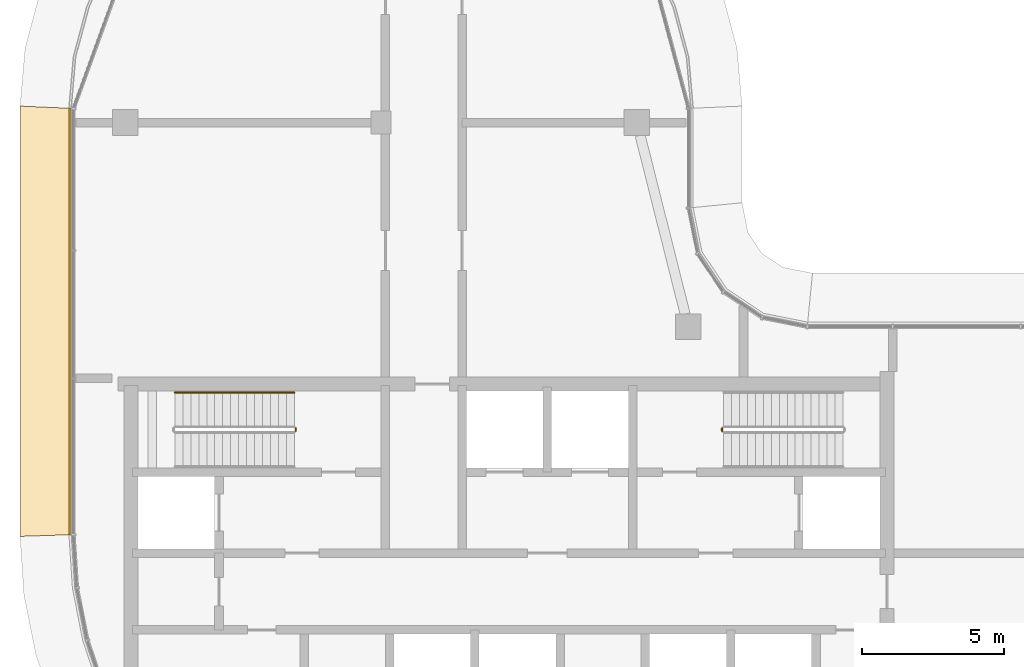
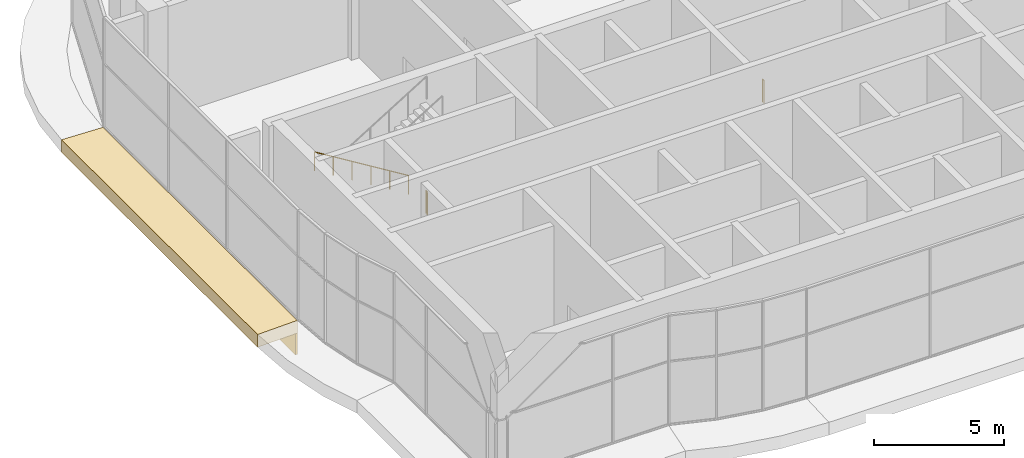
# One storey, part 19 of 23: 3 railings, 2 coverings.
"""IFC4 building model written with IfcOpenShell, lengths in metres."""

from ifc_helpers import new_model, si_unit, direction, frame, origin, origin_2d, place, context, subcontext, project, spatial, polyline, circle, outline, extrude, material, layer, layer_set, type_object, element, save


model = new_model("IFC4")

# Units and contexts
model_context = context("Model", 3, precision=1e-05, world=origin(), true_north=direction((0.0, 1.0)))
body_context = subcontext(model_context, "Body", "Model", "MODEL_VIEW")
ifc_project = project(units=[si_unit("LENGTHUNIT", "METRE"), si_unit("AREAUNIT", "SQUARE_METRE"), si_unit("VOLUMEUNIT", "CUBIC_METRE"), si_unit("PLANEANGLEUNIT", "RADIAN"), si_unit("MASSUNIT", "GRAM", prefix="KILO")], contexts=[model_context])

# Site, building, storey
site_placement = place(None, origin())
site = spatial("IfcSite", under=ifc_project, at=site_placement, CompositionType="ELEMENT")
building_placement = place(site_placement, origin())
building = spatial("IfcBuilding", under=site, at=building_placement, Name="Ogive Portal Towers", CompositionType="ELEMENT")
storey_placement = place(building_placement, frame((0.0, 0.0, 249.39990234375)))
storey = spatial("IfcBuildingStorey", under=building, at=storey_placement, Name="L62", CompositionType="ELEMENT", Elevation=249.39990234375)

# Railings
ifc_material_1 = material(Name="Stainless steel balustrade", Category="steel")
railing_type_1 = type_object("IfcRailingType", Name="INT-GUARD", PredefinedType="GUARDRAIL", material=ifc_material_1)
railing_1_placement = place(storey_placement, frame((37.5, 37.75, 0.0)))
element("IfcRailing", 1, at=railing_1_placement, inside=storey, type_object=railing_type_1, Name="L62 ST-A1 stair guard 4", PredefinedType="GUARDRAIL", context=body_context, shape_type="SweptSolid", body=[
    extrude(circle(Radius=0.02392578125, at=origin_2d()), frame((0.0, 0.0, 1.076171875), z_axis=(0.0, -1.0, 0.0), x_axis=(1.0, 0.0, 0.0)), (0.0, 0.0, 1.0), 0.10009765625),
    extrude(circle(Radius=0.02099609375, at=origin_2d()), origin(), (0.0, 0.0, 1.0), 1.052001953125),
    extrude(circle(Radius=0.02099609375, at=origin_2d()), frame((0.0, -0.10009765625, 0.0)), (0.0, 0.0, 1.0), 1.052001953125),
])
railing_2_placement = place(storey_placement, frame((52.5, 37.64990234375, 0.0)))
element("IfcRailing", 2, at=railing_2_placement, inside=storey, type_object=railing_type_1, Name="L62 ST-A2 stair guard 4", PredefinedType="GUARDRAIL", context=body_context, shape_type="SweptSolid", body=[
    extrude(circle(Radius=0.02392578125, at=origin_2d()), frame((0.0, 0.0, 1.076171875), z_axis=(0.0, 1.0, 0.0), x_axis=(-1.0, 0.0, 0.0)), (0.0, 0.0, 1.0), 0.10009765625),
    extrude(circle(Radius=0.02099609375, at=origin_2d()), origin(), (0.0, 0.0, 1.0), 1.052001953125),
    extrude(circle(Radius=0.02099609375, at=origin_2d()), frame((0.0, 0.10009765625, 0.0)), (0.0, 0.0, 1.0), 1.052001953125),
])
ifc_material_2 = material(Name="Stainless steel handrail", Category="steel")
railing_type_2 = type_object("IfcRailingType", Name="INT-HANDRAIL", PredefinedType="HANDRAIL", material=ifc_material_2)
railing_3_placement = place(storey_placement, frame((37.449951171875, 39.0, 0.171875)))
element("IfcRailing", 3, at=railing_3_placement, inside=storey, type_object=railing_type_2, Name="L62 ST-A1 stair handrail 1", PredefinedType="HANDRAIL", context=body_context, shape_type="SweptSolid", body=[
    extrude(circle(Radius=0.02392578125, at=origin_2d()), frame((0.0, 0.0, 0.8759765625), z_axis=(-0.852242915053, 0.0, 0.523146264196), x_axis=(0.0, -1.0, 0.0)), (0.0, 0.0, 1.0), 4.92822265625),
    extrude(circle(Radius=0.02099609375, at=origin_2d()), origin(), (0.0, 0.0, 1.0), 0.851806640625),
    extrude(circle(Radius=0.02099609375, at=origin_2d()), frame((-0.840087890625, 0.0, 0.515625)), (0.0, 0.0, 1.0), 0.851806640625),
    extrude(circle(Radius=0.02099609375, at=origin_2d()), frame((-1.679931640625, 0.0, 1.03125)), (0.0, 0.0, 1.0), 0.851806640625),
    extrude(circle(Radius=0.02099609375, at=origin_2d()), frame((-2.52001953125, 0.0, 1.546875)), (0.0, 0.0, 1.0), 0.851806640625),
    extrude(circle(Radius=0.02099609375, at=origin_2d()), frame((-3.35986328125, 0.0, 2.0625)), (0.0, 0.0, 1.0), 0.851806640625),
    extrude(circle(Radius=0.02099609375, at=origin_2d()), frame((-4.199951171875, 0.0, 2.578125)), (0.0, 0.0, 1.0), 0.851806640625),
])

# Coverings
ifc_material_3 = material(Name="Limestone cladding on lightweight block wall", Category="masonry")
ifc_layer_1 = layer(ifc_material_3, 0.080078125)
ifc_layer_set_1 = layer_set([ifc_layer_1], Name="STONE SPANDREL 80")
covering_type_1 = type_object("IfcCoveringType", Name="STONE SPANDREL 80", PredefinedType="CLADDING", material=ifc_layer_set_1)
covering_1_placement = place(storey_placement, frame((0.0, 0.0, -1.599853515625)))
element("IfcCovering", 4, at=covering_1_placement, inside=storey, type_object=covering_type_1, Name="Stone spandrel A1-F13", PredefinedType="CLADDING", context=body_context, shape_type="SweptSolid", body=[
    extrude(outline(polyline([(29.60009765625, 49.0), (29.60009765625, 34.0), (29.52001953125, 33.997314453125), (29.52001953125, 49.00341796875), (29.60009765625, 49.0)])), origin(), (0.0, 0.0, 1.0), 1.0),
])
ifc_layer_2 = layer(ifc_material_3, 0.60009765625)
ifc_layer_set_2 = layer_set([ifc_layer_2], Name="SUNSHADE LIP 600")
covering_type_2 = type_object("IfcCoveringType", Name="SUNSHADE LIP 600", PredefinedType="CLADDING", material=ifc_layer_set_2)
covering_2_placement = place(storey_placement, frame((0.0, 0.0, -0.599853515625)))
element("IfcCovering", 5, at=covering_2_placement, inside=storey, type_object=covering_type_2, Name="Sunshade lip A1-F13", PredefinedType="CLADDING", context=body_context, shape_type="SweptSolid", body=[
    extrude(outline(polyline([(29.60009765625, 49.0), (29.60009765625, 34.0), (27.800048828125, 33.941162109375), (27.800048828125, 49.07861328125), (29.60009765625, 49.0)])), origin(), (0.0, 0.0, 1.0), 0.599853515625),
])

save(model, "model.ifc")
